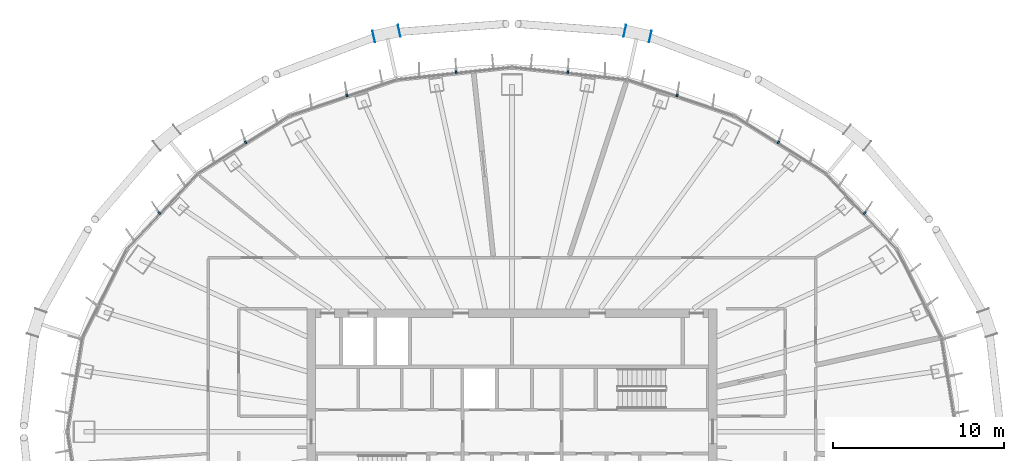
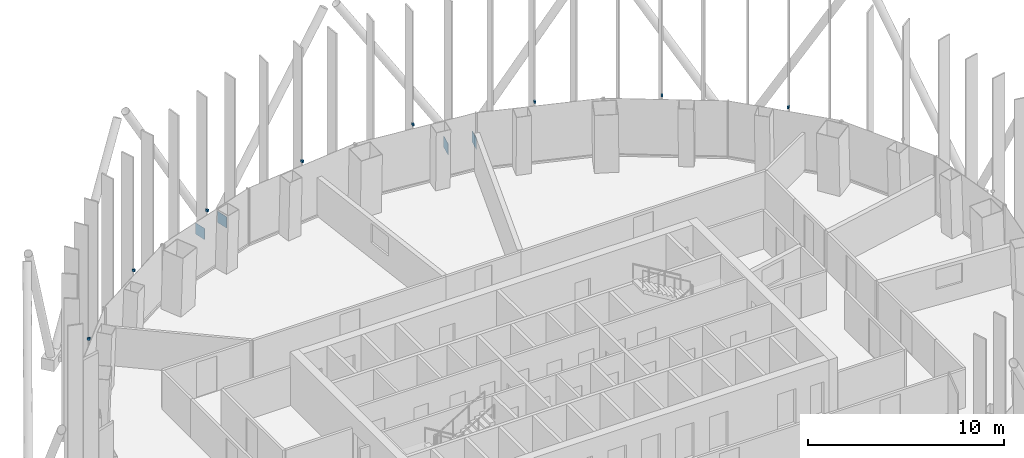
# One storey, part 15 of 19: 12 discrete accessories.
"""IFC4 building model written with IfcOpenShell, lengths in metres."""

from ifc_helpers import new_model, si_unit, direction, frame, origin, origin_2d, place, context, subcontext, project, spatial, rectangle, extrude, material, layer, layer_set, type_object, element, save


model = new_model("IFC4")

# Units and contexts
model_context = context("Model", 3, precision=1e-05, world=origin(), true_north=direction((0.0, 1.0)))
body_context = subcontext(model_context, "Body", "Model", "MODEL_VIEW")
ifc_project = project(units=[si_unit("LENGTHUNIT", "METRE"), si_unit("AREAUNIT", "SQUARE_METRE"), si_unit("VOLUMEUNIT", "CUBIC_METRE"), si_unit("PLANEANGLEUNIT", "RADIAN"), si_unit("MASSUNIT", "GRAM", prefix="KILO")], contexts=[model_context])

# Site, building, storey
site_placement = place(None, origin())
site = spatial("IfcSite", under=ifc_project, at=site_placement, CompositionType="ELEMENT")
building_placement = place(site_placement, origin())
building = spatial("IfcBuilding", under=site, at=building_placement, Name="Siaravel Broadcast Tower", CompositionType="ELEMENT")
storey_placement = place(building_placement, frame((0.0, 0.0, 97.10009765625)))
storey = spatial("IfcBuildingStorey", under=building, at=storey_placement, Name="L22", CompositionType="ELEMENT", Elevation=97.10009765625)

# Discrete accessories
ifc_material_1 = material(Name="Stainless steel 316", Category="steel")
discrete_accessory_type_1 = type_object("IfcDiscreteAccessoryType", Name="Stainless steel fin bracket", PredefinedType="USERDEFINED", material=ifc_material_1)
for number, where, z_axis, x_axis, name in (
    (1, (20.6533203125, 12.81298828125, 3.68505859375), (0.0, 0.0, 1.0), (0.729804415, 0.683655992, 0.0), "Fin bracket L22-07"),
    (2, (15.601318359375, 16.950927734375, 3.68505859375), (0.0, 0.0, 1.0), (0.532149452, 0.846650436, 0.0), "Fin bracket L22-10"),
    (3, (9.669921875, 19.701416015625, 3.68505859375), (0.0, 0.0, 1.0), (0.321300635, 0.946977245, 0.0), "Fin bracket L22-13"),
    (4, (3.271484375, 21.06591796875, 3.68505859375), (0.0, 0.0, 1.0), (0.107216783, 0.994235667, 0.0), "Fin bracket L22-16"),
    (5, (-3.271484375, 21.06591796875, 3.68505859375), (0.0, 0.0, 1.0), (-0.107216783, 0.994235667, 0.0), "Fin bracket L22-19"),
    (6, (-9.669921875, 19.701416015625, 3.68505859375), (0.0, 0.0, 1.0), (-0.321300635, 0.946977245, 0.0), "Fin bracket L22-22"),
    (7, (-15.601318359375, 16.950927734375, 3.68505859375), (0.0, 0.0, 1.0), (-0.532149452, 0.846650436, 0.0), "Fin bracket L22-25"),
    (8, (-20.6533203125, 12.81298828125, 3.68505859375), (0.0, 0.0, 1.0), (-0.729804415, 0.683655992, 0.0), "Fin bracket L22-28"),
):
    element("IfcDiscreteAccessory", number, at=place(storey_placement, frame(where, z_axis=z_axis, x_axis=x_axis)), inside=storey, type_object=discrete_accessory_type_1, Name=name, ObjectType="BRACKET", PredefinedType="USERDEFINED", context=body_context, shape_type="SweptSolid", body=[
        extrude(rectangle(XDim=0.159912109375, YDim=0.10009765625, at=origin_2d()), origin(), (0.0, 0.0, 1.0), 0.139892578125),
    ])
ifc_material_2 = material(Name="Steel S355", Category="steel")
ifc_layer = layer(ifc_material_2, 0.02001953125)
ifc_layer_set = layer_set([ifc_layer], Name="Steel S355")
discrete_accessory_type_2 = type_object("IfcDiscreteAccessoryType", Name="Steel end plate 20 mm", PredefinedType="USERDEFINED", material=ifc_layer_set)
for number, where, z_axis, x_axis, name in (
    (9, (6.608154296875, 23.479736328125, -0.55029296875), (0.0, 0.0, 1.0), (-0.976750917, 0.214377344, 0.0), "End plate R10 station 15A"),
    (10, (8.099609375, 23.15234375, -0.55029296875), (0.0, 0.0, 1.0), (-0.976750917, 0.214377344, 0.0), "End plate R10 station 15B"),
    (11, (-8.099609375, 23.15234375, -0.55029296875), (0.0, 0.0, 1.0), (-0.976750917, -0.214377344, 0.0), "End plate R10 station 21A"),
    (12, (-6.608154296875, 23.479736328125, -0.55029296875), (0.0, 0.0, 1.0), (-0.976750917, -0.214377344, 0.0), "End plate R10 station 21B"),
):
    element("IfcDiscreteAccessory", number, at=place(storey_placement, frame(where, z_axis=z_axis, x_axis=x_axis)), inside=storey, type_object=discrete_accessory_type_2, Name=name, ObjectType="END PLATE", PredefinedType="USERDEFINED", context=body_context, shape_type="SweptSolid", body=[
        extrude(rectangle(XDim=0.02001953125, YDim=0.699951171875, at=origin_2d()), origin(), (0.0, 0.0, 1.0), 0.699951171875),
    ])

save(model, "model.ifc")
